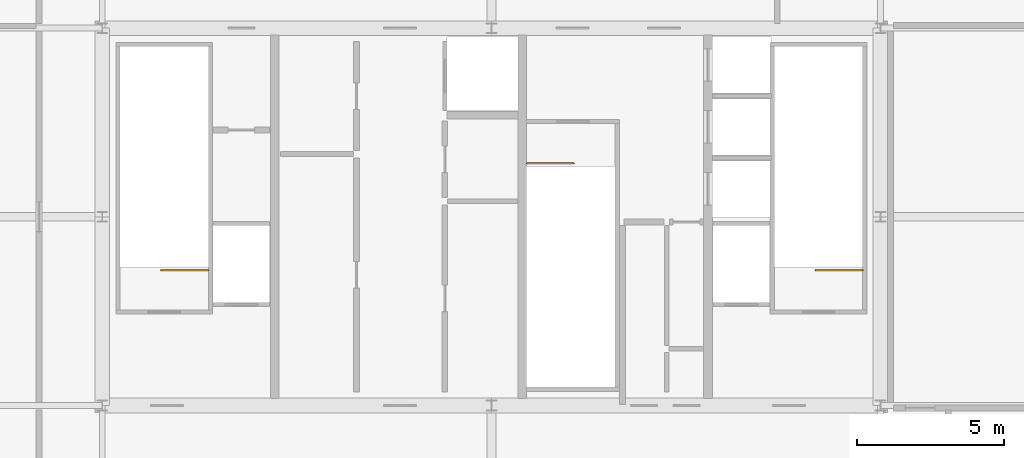
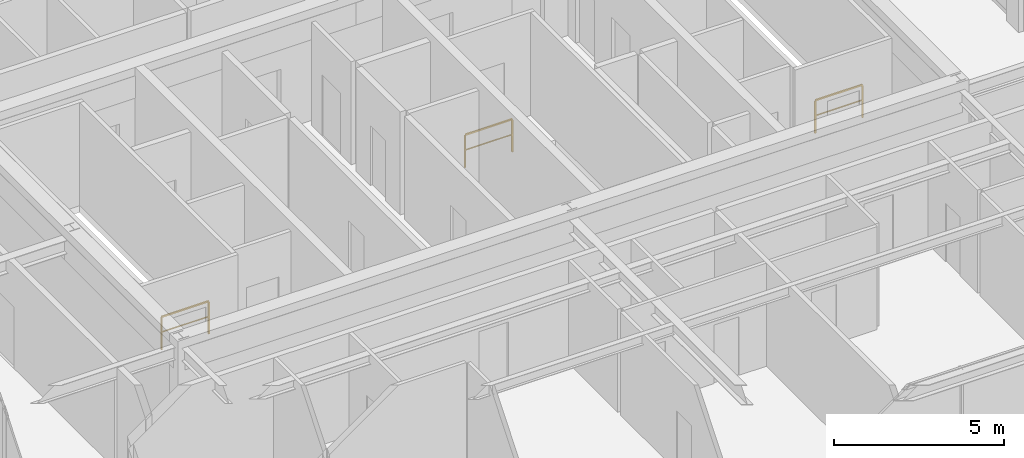
# One storey, part 34 of 34: 3 railings.
"""IFC4 building model written with IfcOpenShell, lengths in metres."""

from ifc_helpers import new_model, si_unit, direction, frame, origin, origin_2d, place, context, subcontext, project, spatial, rectangle, extrude, source, transform, mapped, material, layer, layer_set, type_object, element, save


model = new_model("IFC4")

# Units and contexts
model_context = context("Model", 3, precision=1e-05, world=origin(), true_north=direction((0.0, 1.0)))
body_context = subcontext(model_context, "Body", "Model", "MODEL_VIEW")
ifc_project = project(units=[si_unit("LENGTHUNIT", "METRE"), si_unit("AREAUNIT", "SQUARE_METRE"), si_unit("VOLUMEUNIT", "CUBIC_METRE"), si_unit("PLANEANGLEUNIT", "RADIAN"), si_unit("MASSUNIT", "GRAM", prefix="KILO"), si_unit("THERMODYNAMICTEMPERATUREUNIT", "KELVIN"), si_unit("POWERUNIT", "WATT")], contexts=[model_context])

# Site, building, storey
site_placement = place(None, origin())
site = spatial("IfcSite", under=ifc_project, at=site_placement, CompositionType="ELEMENT")
building_placement = place(site_placement, origin())
building = spatial("IfcBuilding", under=site, at=building_placement, Name="Yuzanri Waterfront Tower", CompositionType="ELEMENT")
storey_placement = place(building_placement, frame((0.0, 0.0, 347.199951171875)))
storey = spatial("IfcBuildingStorey", under=building, at=storey_placement, Name="L93", CompositionType="ELEMENT", Elevation=347.199951171875)

# Railings
ifc_material = material(Name="Painted Galvanized Fire Steel", Category="steel")
ifc_layer = layer(ifc_material, 0.06005859375)
ifc_layer_set = layer_set([ifc_layer], Name="Painted Galvanized Fire Steel")
railing_type = type_object("IfcRailingType", Name="Painted Steel Stairwell Guardrail 1120", PredefinedType="GUARDRAIL", material=ifc_layer_set)
shared_shape_1 = source(origin(), body_context, "Body", "SweptSolid", [
    extrude(rectangle(XDim=0.050048828125, YDim=0.050048828125, at=origin_2d()), frame((0.0, 0.0, 1.1748046875), z_axis=(-1.0, 0.0, 0.0), x_axis=(0.0, -1.0, 0.0)), (0.0, 0.0, 1.0), 1.599853515625),
    extrude(rectangle(XDim=0.035888671875, YDim=0.030029296875, at=origin_2d()), frame((0.0, 0.0, 0.6240234375), z_axis=(-1.0, 0.0, 0.0), x_axis=(0.0, -1.0, 0.0)), (0.0, 0.0, 1.0), 1.599853515625),
    extrude(rectangle(XDim=0.0458984375, YDim=0.0458984375, at=origin_2d()), origin(), (0.0, 0.0, 1.0), 1.14990234375),
    extrude(rectangle(XDim=0.0458984375, YDim=0.0458984375, at=origin_2d()), frame((-1.599853515625, 0.0, 0.0)), (0.0, 0.0, 1.0), 1.14990234375),
])
railing_1_placement = place(storey_placement, frame((27.39990234375, 23.989990234375, 0.0)))
element("IfcRailing", 1, at=railing_1_placement, inside=storey, type_object=railing_type, Name="L93 ST-01 top well guard 1", PredefinedType="GUARDRAIL", context=body_context, shape_type="MappedRepresentation", body=[
    mapped(shared_shape_1, transform((0.0, 0.0, 0.0), scale=1.0)),
])
shared_shape_2 = source(origin(), body_context, "Body", "SweptSolid", [
    extrude(rectangle(XDim=0.050048828125, YDim=0.050048828125, at=origin_2d()), frame((0.0, 0.0, 1.1748046875), z_axis=(-1.0, 0.0, 0.0), x_axis=(0.0, -1.0, 0.0)), (0.0, 0.0, 1.0), 1.60009765625),
    extrude(rectangle(XDim=0.035888671875, YDim=0.030029296875, at=origin_2d()), frame((0.0, 0.0, 0.6240234375), z_axis=(-1.0, 0.0, 0.0), x_axis=(0.0, -1.0, 0.0)), (0.0, 0.0, 1.0), 1.60009765625),
    extrude(rectangle(XDim=0.0458984375, YDim=0.0458984375, at=origin_2d()), origin(), (0.0, 0.0, 1.0), 1.14990234375),
    extrude(rectangle(XDim=0.0458984375, YDim=0.0458984375, at=origin_2d()), frame((-1.60009765625, 0.0, 0.0)), (0.0, 0.0, 1.0), 1.14990234375),
])
railing_2_placement = place(storey_placement, frame((49.60009765625, 23.989990234375, 0.0)))
element("IfcRailing", 2, at=railing_2_placement, inside=storey, type_object=railing_type, Name="L93 ST-02 top well guard 1", PredefinedType="GUARDRAIL", context=body_context, shape_type="MappedRepresentation", body=[
    mapped(shared_shape_2, transform((0.0, 0.0, 0.0), scale=1.0)),
])
shared_shape_3 = source(origin(), body_context, "Body", "SweptSolid", [
    extrude(rectangle(XDim=0.050048828125, YDim=0.050048828125, at=origin_2d()), frame((0.0, 0.0, 1.1748046875), z_axis=(1.0, 0.0, 0.0), x_axis=(0.0, 1.0, 0.0)), (0.0, 0.0, 1.0), 1.60009765625),
    extrude(rectangle(XDim=0.035888671875, YDim=0.030029296875, at=origin_2d()), frame((0.0, 0.0, 0.6240234375), z_axis=(1.0, 0.0, 0.0), x_axis=(0.0, 1.0, 0.0)), (0.0, 0.0, 1.0), 1.60009765625),
    extrude(rectangle(XDim=0.0458984375, YDim=0.0458984375, at=origin_2d()), origin(), (0.0, 0.0, 1.0), 1.14990234375),
    extrude(rectangle(XDim=0.0458984375, YDim=0.0458984375, at=origin_2d()), frame((1.60009765625, 0.0, 0.0)), (0.0, 0.0, 1.0), 1.14990234375),
])
railing_3_placement = place(storey_placement, frame((38.199951171875, 27.610107421875, 0.0)))
element("IfcRailing", 3, at=railing_3_placement, inside=storey, type_object=railing_type, Name="L93 ST-03 top well guard 1", PredefinedType="GUARDRAIL", context=body_context, shape_type="MappedRepresentation", body=[
    mapped(shared_shape_3, transform((0.0, 0.0, 0.0), scale=1.0)),
])

save(model, "model.ifc")
